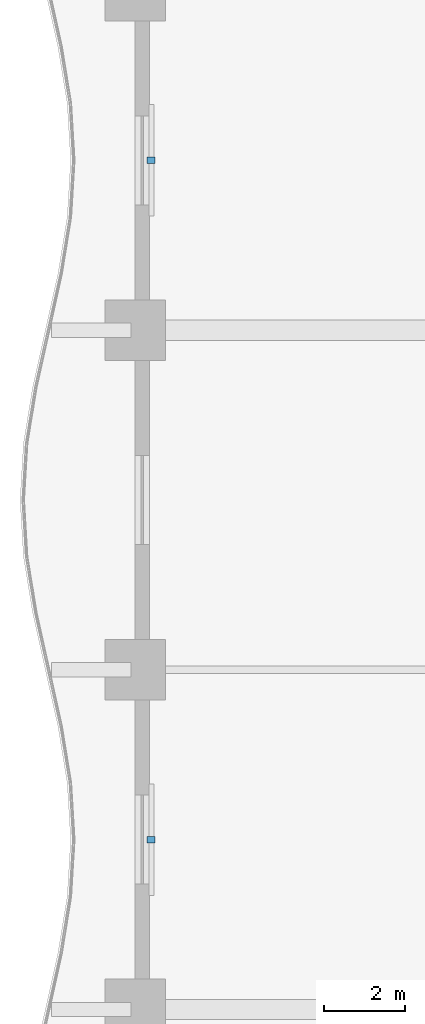
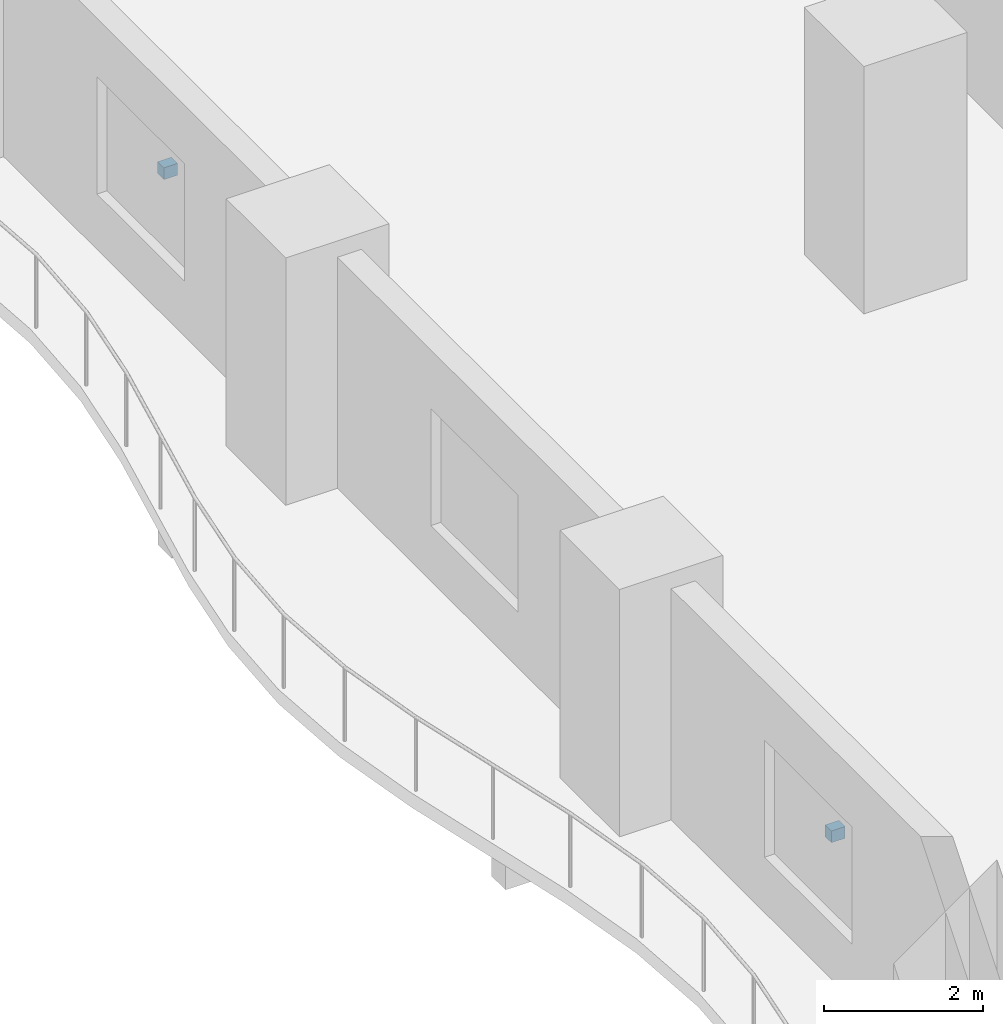
# One storey, part 17 of 21: 2 discrete accessories.
"""IFC4 building model written with IfcOpenShell, lengths in metres."""

from ifc_helpers import new_model, si_unit, direction, frame, origin, origin_2d, place, context, subcontext, project, spatial, rectangle, extrude, material, type_object, element, save


model = new_model("IFC4")

# Units and contexts
model_context = context("Model", 3, precision=1e-05, world=origin(), true_north=direction((0.0, 1.0)))
body_context = subcontext(model_context, "Body", "Model", "MODEL_VIEW")
ifc_project = project(units=[si_unit("LENGTHUNIT", "METRE"), si_unit("AREAUNIT", "SQUARE_METRE"), si_unit("VOLUMEUNIT", "CUBIC_METRE"), si_unit("PLANEANGLEUNIT", "RADIAN"), si_unit("MASSUNIT", "GRAM", prefix="KILO")], contexts=[model_context])

# Site, building, storey
site_placement = place(None, origin())
site = spatial("IfcSite", under=ifc_project, at=site_placement, CompositionType="ELEMENT")
building_placement = place(site_placement, origin())
building = spatial("IfcBuilding", under=site, at=building_placement, Name="Koriwani Terraces Tower", CompositionType="ELEMENT")
storey_placement = place(building_placement, frame((0.0, 0.0, 77.60009765625)))
storey = spatial("IfcBuildingStorey", under=building, at=storey_placement, Name="L18", CompositionType="ELEMENT", Elevation=77.60009765625)

# Discrete accessories
ifc_material = material(Name="Steel ASTM A572 Grade 50", Category="steel")
discrete_accessory_type = type_object("IfcDiscreteAccessoryType", Name="BAGUETTE_STANDOFF_BRACKET", PredefinedType="BRACKET", material=ifc_material)
for number, where, z_axis, x_axis, name in (
    (1, (0.389892578125, 63.0, 1.68505859375), (0.0, 0.0, 1.0), (0.0, 1.0, 0.0), "L18 Terracotta Baguette Bracket (W-21)"),
    (2, (0.389892578125, 79.800048828125, 1.68505859375), (0.0, 0.0, 1.0), (0.0, 1.0, 0.0), "L18 Terracotta Baguette Bracket (W-27)"),
):
    element("IfcDiscreteAccessory", number, at=place(storey_placement, frame(where, z_axis=z_axis, x_axis=x_axis)), inside=storey, type_object=discrete_accessory_type, Name=name, PredefinedType="BRACKET", context=body_context, shape_type="SweptSolid", body=[
        extrude(rectangle(XDim=0.159912109375, YDim=0.199951171875, at=origin_2d()), origin(), (0.0, 0.0, 1.0), 0.179931640625),
    ])

save(model, "model.ifc")
